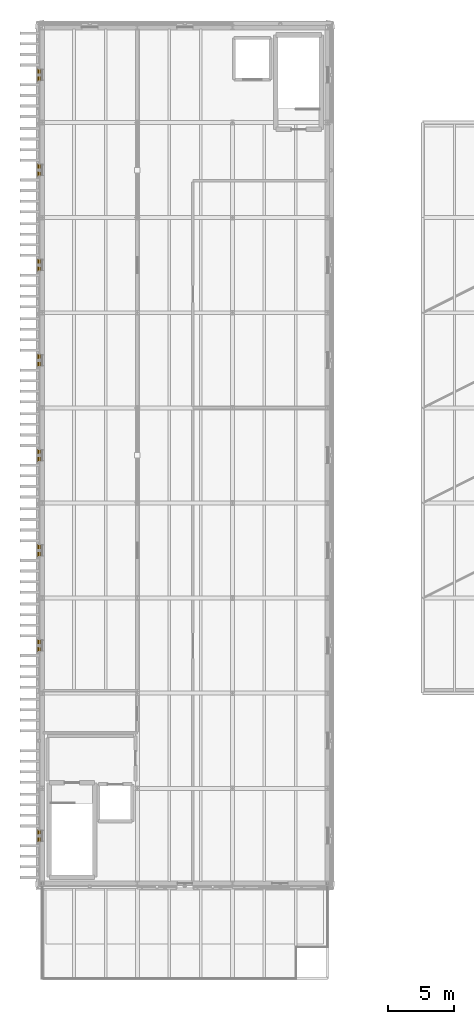
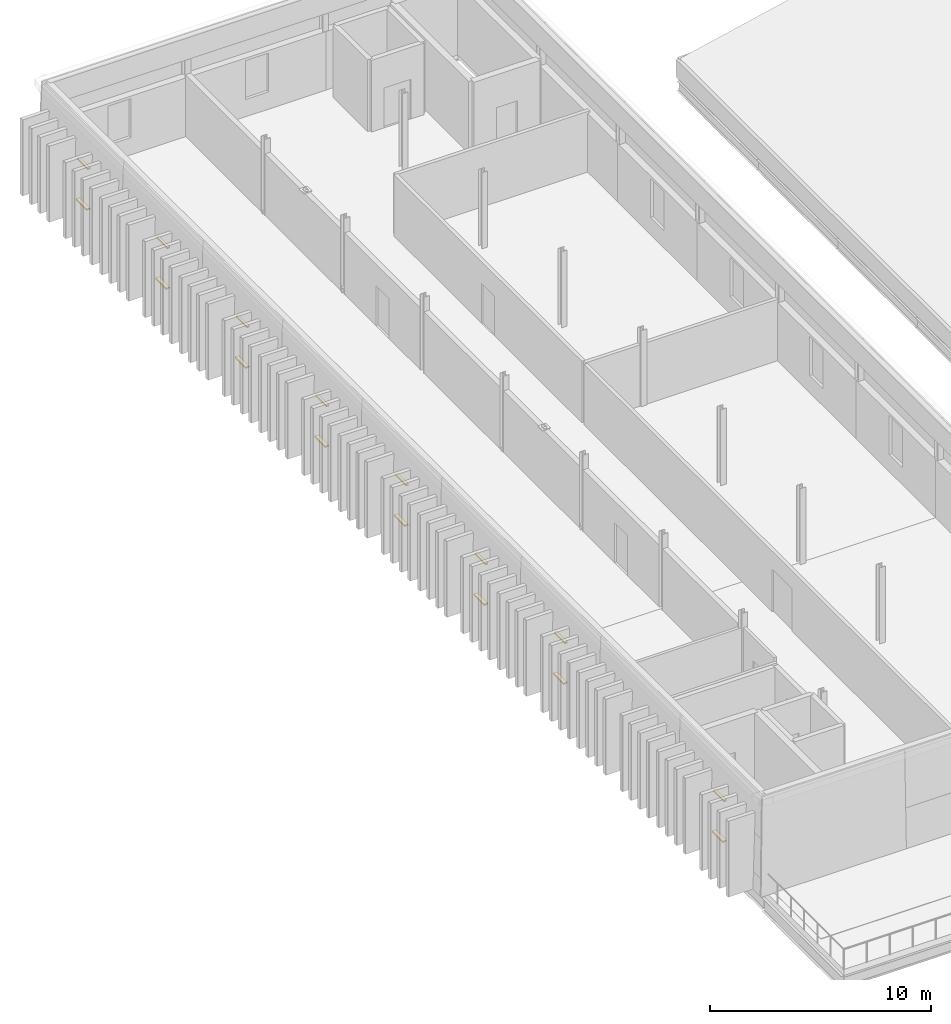
# One storey, part 44 of 44: 16 coverings.
"""IFC4 building model written with IfcOpenShell, lengths in metres."""

from ifc_helpers import new_model, si_unit, direction, frame, origin, place, context, subcontext, project, spatial, polyline, outline, extrude, material, layer, layer_set, type_object, element, save


model = new_model("IFC4")

# Units and contexts
model_context = context("Model", 3, precision=1e-05, world=origin(), true_north=direction((0.0, 1.0)))
body_context = subcontext(model_context, "Body", "Model", "MODEL_VIEW")
ifc_project = project(units=[si_unit("LENGTHUNIT", "METRE"), si_unit("AREAUNIT", "SQUARE_METRE"), si_unit("VOLUMEUNIT", "CUBIC_METRE"), si_unit("PLANEANGLEUNIT", "RADIAN"), si_unit("MASSUNIT", "GRAM", prefix="KILO")], contexts=[model_context])

# Site, building, storey
site_placement = place(None, origin())
site = spatial("IfcSite", under=ifc_project, at=site_placement, CompositionType="ELEMENT")
building_placement = place(site_placement, origin())
building = spatial("IfcBuilding", under=site, at=building_placement, Name="Narikvali Park Central Library", CompositionType="ELEMENT")
storey_placement = place(building_placement, frame((0.0, 0.0, 22.800048828125)))
storey = spatial("IfcBuildingStorey", under=building, at=storey_placement, Name="L05", CompositionType="ELEMENT", Elevation=22.800048828125)

# Coverings
ifc_material = material(Name="White Honed Limestone Cladding", Category="masonry")
ifc_layer = layer(ifc_material, 0.080078125, Name="White Honed Limestone Cladding")
ifc_layer_set = layer_set([ifc_layer], Name="White Honed Limestone Cladding")
covering_type = type_object("IfcCoveringType", Name="Deep Carved White Limestone Window Reveal", PredefinedType="CLADDING", material=ifc_layer_set)
covering_1_placement = place(storey_placement, frame((0.0, 0.0, 3.099853515625)))
element("IfcCovering", 1, at=covering_1_placement, inside=storey, type_object=covering_type, Name="Deep Stone Reveal Head V5-RVL-L05-W-B01", PredefinedType="CLADDING", context=body_context, shape_type="SweptSolid", body=[
    extrude(outline(polyline([(-0.1650390625, 104.8798828125), (-0.1650390625, 103.919921875), (-0.30517578125, 103.919921875), (-0.30517578125, 104.8798828125), (-0.1650390625, 104.8798828125)])), origin(), (0.0, 0.0, 1.0), 0.080078125),
])
covering_2_placement = place(storey_placement, frame((0.0, 0.0, 0.869873046875)))
element("IfcCovering", 2, at=covering_2_placement, inside=storey, type_object=covering_type, Name="Deep Stone Reveal Sill V5-RVL-L05-W-B01", PredefinedType="CLADDING", context=body_context, shape_type="SweptSolid", body=[
    extrude(outline(polyline([(-0.1650390625, 104.8798828125), (-0.1650390625, 103.919921875), (-0.3662109375, 103.919921875), (-0.3662109375, 104.8798828125), (-0.1650390625, 104.8798828125)])), origin(), (0.0, 0.0, 1.0), 0.080078125),
])
covering_3_placement = place(storey_placement, frame((0.0, 0.0, 3.099853515625)))
element("IfcCovering", 3, at=covering_3_placement, inside=storey, type_object=covering_type, Name="Deep Stone Reveal Head V5-RVL-L05-W-B02", PredefinedType="CLADDING", context=body_context, shape_type="SweptSolid", body=[
    extrude(outline(polyline([(-0.1650390625, 97.679931640625), (-0.1650390625, 96.719970703125), (-0.30517578125, 96.719970703125), (-0.30517578125, 97.679931640625), (-0.1650390625, 97.679931640625)])), origin(), (0.0, 0.0, 1.0), 0.080078125),
])
covering_4_placement = place(storey_placement, frame((0.0, 0.0, 0.869873046875)))
element("IfcCovering", 4, at=covering_4_placement, inside=storey, type_object=covering_type, Name="Deep Stone Reveal Sill V5-RVL-L05-W-B02", PredefinedType="CLADDING", context=body_context, shape_type="SweptSolid", body=[
    extrude(outline(polyline([(-0.1650390625, 97.679931640625), (-0.1650390625, 96.719970703125), (-0.3662109375, 96.719970703125), (-0.3662109375, 97.679931640625), (-0.1650390625, 97.679931640625)])), origin(), (0.0, 0.0, 1.0), 0.080078125),
])
covering_5_placement = place(storey_placement, frame((0.0, 0.0, 3.099853515625)))
element("IfcCovering", 5, at=covering_5_placement, inside=storey, type_object=covering_type, Name="Deep Stone Reveal Head V5-RVL-L05-W-B03", PredefinedType="CLADDING", context=body_context, shape_type="SweptSolid", body=[
    extrude(outline(polyline([(-0.1650390625, 90.47998046875), (-0.1650390625, 89.52001953125), (-0.30517578125, 89.52001953125), (-0.30517578125, 90.47998046875), (-0.1650390625, 90.47998046875)])), origin(), (0.0, 0.0, 1.0), 0.080078125),
])
covering_6_placement = place(storey_placement, frame((0.0, 0.0, 0.869873046875)))
element("IfcCovering", 6, at=covering_6_placement, inside=storey, type_object=covering_type, Name="Deep Stone Reveal Sill V5-RVL-L05-W-B03", PredefinedType="CLADDING", context=body_context, shape_type="SweptSolid", body=[
    extrude(outline(polyline([(-0.1650390625, 90.47998046875), (-0.1650390625, 89.52001953125), (-0.3662109375, 89.52001953125), (-0.3662109375, 90.47998046875), (-0.1650390625, 90.47998046875)])), origin(), (0.0, 0.0, 1.0), 0.080078125),
])
covering_7_placement = place(storey_placement, frame((0.0, 0.0, 3.099853515625)))
element("IfcCovering", 7, at=covering_7_placement, inside=storey, type_object=covering_type, Name="Deep Stone Reveal Head V5-RVL-L05-W-B04", PredefinedType="CLADDING", context=body_context, shape_type="SweptSolid", body=[
    extrude(outline(polyline([(-0.1650390625, 83.280029296875), (-0.1650390625, 82.320068359375), (-0.30517578125, 82.320068359375), (-0.30517578125, 83.280029296875), (-0.1650390625, 83.280029296875)])), origin(), (0.0, 0.0, 1.0), 0.080078125),
])
covering_8_placement = place(storey_placement, frame((0.0, 0.0, 0.869873046875)))
element("IfcCovering", 8, at=covering_8_placement, inside=storey, type_object=covering_type, Name="Deep Stone Reveal Sill V5-RVL-L05-W-B04", PredefinedType="CLADDING", context=body_context, shape_type="SweptSolid", body=[
    extrude(outline(polyline([(-0.1650390625, 83.280029296875), (-0.1650390625, 82.320068359375), (-0.3662109375, 82.320068359375), (-0.3662109375, 83.280029296875), (-0.1650390625, 83.280029296875)])), origin(), (0.0, 0.0, 1.0), 0.080078125),
])
covering_9_placement = place(storey_placement, frame((0.0, 0.0, 3.099853515625)))
element("IfcCovering", 9, at=covering_9_placement, inside=storey, type_object=covering_type, Name="Deep Stone Reveal Head V5-RVL-L05-W-B05", PredefinedType="CLADDING", context=body_context, shape_type="SweptSolid", body=[
    extrude(outline(polyline([(-0.1650390625, 76.080078125), (-0.1650390625, 75.1201171875), (-0.30517578125, 75.1201171875), (-0.30517578125, 76.080078125), (-0.1650390625, 76.080078125)])), origin(), (0.0, 0.0, 1.0), 0.080078125),
])
covering_10_placement = place(storey_placement, frame((0.0, 0.0, 0.869873046875)))
element("IfcCovering", 10, at=covering_10_placement, inside=storey, type_object=covering_type, Name="Deep Stone Reveal Sill V5-RVL-L05-W-B05", PredefinedType="CLADDING", context=body_context, shape_type="SweptSolid", body=[
    extrude(outline(polyline([(-0.1650390625, 76.080078125), (-0.1650390625, 75.1201171875), (-0.3662109375, 75.1201171875), (-0.3662109375, 76.080078125), (-0.1650390625, 76.080078125)])), origin(), (0.0, 0.0, 1.0), 0.080078125),
])
covering_11_placement = place(storey_placement, frame((0.0, 0.0, 3.099853515625)))
element("IfcCovering", 11, at=covering_11_placement, inside=storey, type_object=covering_type, Name="Deep Stone Reveal Head V5-RVL-L05-W-B06", PredefinedType="CLADDING", context=body_context, shape_type="SweptSolid", body=[
    extrude(outline(polyline([(-0.1650390625, 68.8798828125), (-0.1650390625, 67.919921875), (-0.30517578125, 67.919921875), (-0.30517578125, 68.8798828125), (-0.1650390625, 68.8798828125)])), origin(), (0.0, 0.0, 1.0), 0.080078125),
])
covering_12_placement = place(storey_placement, frame((0.0, 0.0, 0.869873046875)))
element("IfcCovering", 12, at=covering_12_placement, inside=storey, type_object=covering_type, Name="Deep Stone Reveal Sill V5-RVL-L05-W-B06", PredefinedType="CLADDING", context=body_context, shape_type="SweptSolid", body=[
    extrude(outline(polyline([(-0.1650390625, 68.8798828125), (-0.1650390625, 67.919921875), (-0.3662109375, 67.919921875), (-0.3662109375, 68.8798828125), (-0.1650390625, 68.8798828125)])), origin(), (0.0, 0.0, 1.0), 0.080078125),
])
covering_13_placement = place(storey_placement, frame((0.0, 0.0, 3.099853515625)))
element("IfcCovering", 13, at=covering_13_placement, inside=storey, type_object=covering_type, Name="Deep Stone Reveal Head V5-RVL-L05-W-B07", PredefinedType="CLADDING", context=body_context, shape_type="SweptSolid", body=[
    extrude(outline(polyline([(-0.1650390625, 61.679931640625), (-0.1650390625, 60.719970703125), (-0.30517578125, 60.719970703125), (-0.30517578125, 61.679931640625), (-0.1650390625, 61.679931640625)])), origin(), (0.0, 0.0, 1.0), 0.080078125),
])
covering_14_placement = place(storey_placement, frame((0.0, 0.0, 0.869873046875)))
element("IfcCovering", 14, at=covering_14_placement, inside=storey, type_object=covering_type, Name="Deep Stone Reveal Sill V5-RVL-L05-W-B07", PredefinedType="CLADDING", context=body_context, shape_type="SweptSolid", body=[
    extrude(outline(polyline([(-0.1650390625, 61.679931640625), (-0.1650390625, 60.719970703125), (-0.3662109375, 60.719970703125), (-0.3662109375, 61.679931640625), (-0.1650390625, 61.679931640625)])), origin(), (0.0, 0.0, 1.0), 0.080078125),
])
covering_15_placement = place(storey_placement, frame((0.0, 0.0, 3.099853515625)))
element("IfcCovering", 15, at=covering_15_placement, inside=storey, type_object=covering_type, Name="Deep Stone Reveal Head V5-RVL-L05-W-B09", PredefinedType="CLADDING", context=body_context, shape_type="SweptSolid", body=[
    extrude(outline(polyline([(-0.1650390625, 47.280029296875), (-0.1650390625, 46.320068359375), (-0.30517578125, 46.320068359375), (-0.30517578125, 47.280029296875), (-0.1650390625, 47.280029296875)])), origin(), (0.0, 0.0, 1.0), 0.080078125),
])
covering_16_placement = place(storey_placement, frame((0.0, 0.0, 0.869873046875)))
element("IfcCovering", 16, at=covering_16_placement, inside=storey, type_object=covering_type, Name="Deep Stone Reveal Sill V5-RVL-L05-W-B09", PredefinedType="CLADDING", context=body_context, shape_type="SweptSolid", body=[
    extrude(outline(polyline([(-0.1650390625, 47.280029296875), (-0.1650390625, 46.320068359375), (-0.3662109375, 46.320068359375), (-0.3662109375, 47.280029296875), (-0.1650390625, 47.280029296875)])), origin(), (0.0, 0.0, 1.0), 0.080078125),
])

save(model, "model.ifc")
